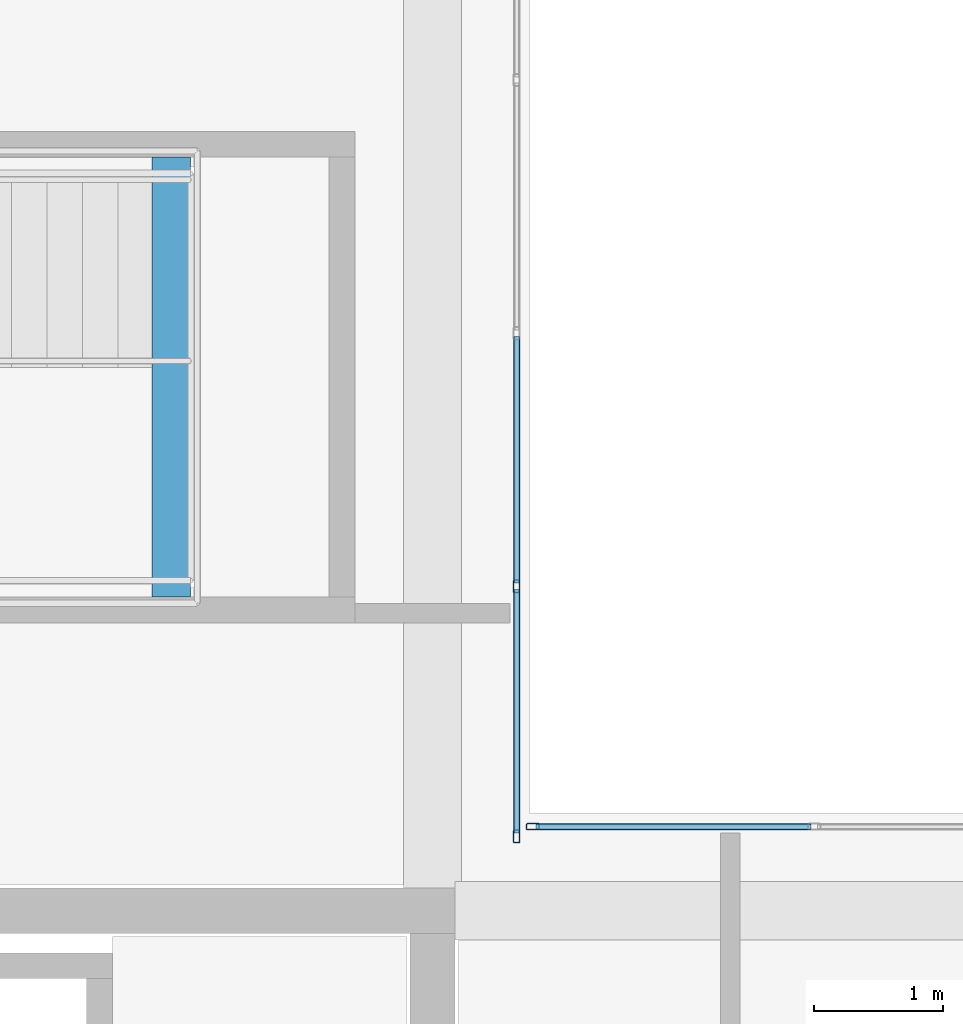
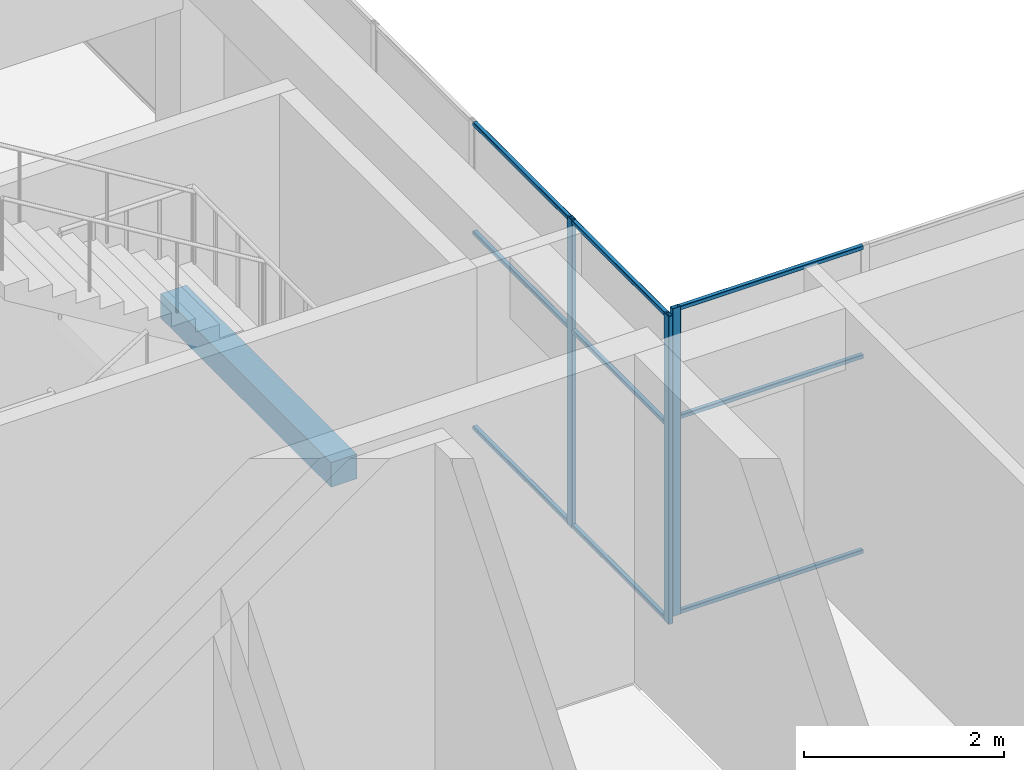
# One storey, part 13 of 34: 12 members, 1 beam, 2 elements without a shape of their own.
"""IFC4 building model written with IfcOpenShell, lengths in metres."""

from ifc_helpers import new_model, si_unit, direction, frame, origin, origin_2d, place, context, subcontext, project, spatial, rectangle, hollow_rectangle, extrude, material, layer, layer_set, material_profile, profile_set, type_object, element, aggregate, save


model = new_model("IFC4")

# Units and contexts
model_context = context("Model", 3, precision=1e-05, world=origin(), true_north=direction((0.0, 1.0)))
body_context = subcontext(model_context, "Body", "Model", "MODEL_VIEW")
ifc_project = project(units=[si_unit("LENGTHUNIT", "METRE"), si_unit("AREAUNIT", "SQUARE_METRE"), si_unit("VOLUMEUNIT", "CUBIC_METRE"), si_unit("PLANEANGLEUNIT", "RADIAN"), si_unit("MASSUNIT", "GRAM", prefix="KILO")], contexts=[model_context])

# Site, building, storey
site_placement = place(None, origin())
site = spatial("IfcSite", under=ifc_project, at=site_placement, CompositionType="ELEMENT")
building_placement = place(site_placement, origin())
building = spatial("IfcBuilding", under=site, at=building_placement, Name="Tuart Plaza Theatre", CompositionType="ELEMENT")
storey_placement = place(building_placement, frame((0.0, 0.0, 53.5)))
storey = spatial("IfcBuildingStorey", under=building, at=storey_placement, Name="L13", CompositionType="ELEMENT", Elevation=53.5)

# Beam
ifc_material_1 = material(Name="Concrete N40 (40 MPa)", Category="concrete")
ifc_material_profile_1 = material_profile(ifc_material_1, rectangle(XDim=0.300048828125, YDim=0.300048828125, at=origin_2d()), Name="BEAM 300x300 Concrete N40 (40 MPa)")
ifc_profile_set_1 = profile_set([ifc_material_profile_1], Name="Concrete N40 (40 MPa)")
beam_type = type_object("IfcBeamType", Name="BEAM 300x300 Concrete N40 (40 MPa)", PredefinedType="BEAM", material=ifc_profile_set_1)
beam_placement = place(storey_placement, frame((138.97998046875, 85.425048828125, 1.64990234375), z_axis=(0.0, 1.0, 0.0), x_axis=(-1.0, 0.0, 0.0)))
element("IfcBeam", 1, at=beam_placement, inside=storey, type_object=beam_type, Name="RB525", PredefinedType="BEAM", context=body_context, shape_type="SweptSolid", body=[
    extrude(rectangle(XDim=0.300048828125, YDim=0.300048828125, at=origin_2d()), origin(), (0.0, 0.0, 1.0), 3.39990234375),
])

# Curtain wall, member
ifc_material_2 = material(Name="Aluminium and glass", Category="aluminium")
ifc_layer = layer(ifc_material_2, 0.10009765625)
ifc_layer_set = layer_set([ifc_layer], Name="CURTAIN WALL 2000 module")
curtain_wall_type = type_object("IfcCurtainWallType", Name="CURTAIN WALL 2000 module", PredefinedType="NOTDEFINED", material=ifc_layer_set)
curtain_wall_1_placement = place(storey_placement, origin())
curtain_wall_1 = element("IfcCurtainWall", 2, at=curtain_wall_1_placement, inside=storey, type_object=curtain_wall_type, Name="CW115", PredefinedType="NOTDEFINED")
ifc_material_3 = material(Name="Aluminium 6063-T5", Category="aluminium")
ifc_material_profile_2 = material_profile(ifc_material_3, hollow_rectangle(XDim=0.050048828125, YDim=0.10009765625, WallThickness=0.00390625, InnerFilletRadius=0.00390625, OuterFilletRadius=0.008056640625, at=origin_2d()), Name="RHS 100x50x4")
ifc_profile_set_2 = profile_set([ifc_material_profile_2], Name="Aluminium 6063-T5")
member_type_1 = type_object("IfcMemberType", Name="MULLION RHS 100x50x4", PredefinedType="MULLION", material=ifc_profile_set_2)
member_1_placement = place(storey_placement, frame((141.77490234375, 83.64990234375, 0.0), z_axis=(0.0, 0.0, 1.0), x_axis=(0.0, -1.0, 0.0)))
member_1 = element("IfcMember", 3, at=member_1_placement, type_object=member_type_1, Name="CW115 mullion 5", PredefinedType="MULLION", context=body_context, shape_type="SweptSolid", body=[
    extrude(hollow_rectangle(XDim=0.050048828125, YDim=0.10009765625, WallThickness=0.00390625, InnerFilletRadius=0.00390625, OuterFilletRadius=0.008056640625, at=origin_2d()), origin(), (0.0, 0.0, 1.0), 3.75),
])

# Curtain wall, members
curtain_wall_2_placement = place(storey_placement, origin())
curtain_wall_2 = element("IfcCurtainWall", 4, at=curtain_wall_2_placement, inside=storey, type_object=curtain_wall_type, Name="CW116", PredefinedType="NOTDEFINED")
member_2_placement = place(storey_placement, frame((141.64990234375, 83.574951171875, 0.0), z_axis=(0.0, 0.0, 1.0), x_axis=(-1.0, 0.0, 0.0)))
member_2 = element("IfcMember", 5, at=member_2_placement, type_object=member_type_1, Name="CW116 mullion 1", PredefinedType="MULLION", context=body_context, shape_type="SweptSolid", body=[
    extrude(hollow_rectangle(XDim=0.050048828125, YDim=0.10009765625, WallThickness=0.00390625, InnerFilletRadius=0.00390625, OuterFilletRadius=0.008056640625, at=origin_2d()), origin(), (0.0, 0.0, 1.0), 3.75),
])
member_3_placement = place(storey_placement, frame((141.64990234375, 85.507080078125, 0.0), z_axis=(0.0, 0.0, 1.0), x_axis=(-1.0, 0.0, 0.0)))
member_3 = element("IfcMember", 6, at=member_3_placement, type_object=member_type_1, Name="CW116 mullion 2", PredefinedType="MULLION", context=body_context, shape_type="SweptSolid", body=[
    extrude(hollow_rectangle(XDim=0.050048828125, YDim=0.10009765625, WallThickness=0.00390625, InnerFilletRadius=0.00390625, OuterFilletRadius=0.008056640625, at=origin_2d()), origin(), (0.0, 0.0, 1.0), 3.75),
])

# Member
ifc_material_4 = material(Name="Aluminium 6063-T5", Category="aluminium")
ifc_material_profile_3 = material_profile(ifc_material_4, hollow_rectangle(XDim=0.050048828125, YDim=0.050048828125, WallThickness=0.00390625, InnerFilletRadius=0.00390625, OuterFilletRadius=0.008056640625, at=origin_2d()), Name="RHS 50x50x4")
ifc_profile_set_3 = profile_set([ifc_material_profile_3], Name="Aluminium 6063-T5")
member_type_2 = type_object("IfcMemberType", Name="TRANSOM RHS 50x50x4", PredefinedType="USERDEFINED", material=ifc_profile_set_3)
member_4_placement = place(storey_placement, frame((143.925048828125, 83.64990234375, 0.02490234375), z_axis=(-1.0, 0.0, 0.0), x_axis=(0.0, -1.0, 0.0)))
member_4 = element("IfcMember", 7, at=member_4_placement, type_object=member_type_2, Name="CW115 transom 4.1", ObjectType="TRANSOM", PredefinedType="USERDEFINED", context=body_context, shape_type="SweptSolid", body=[
    extrude(hollow_rectangle(XDim=0.050048828125, YDim=0.050048828125, WallThickness=0.00390625, InnerFilletRadius=0.00390625, OuterFilletRadius=0.008056640625, at=origin_2d()), origin(), (0.0, 0.0, 1.0), 2.125),
])

member_5_placement = place(storey_placement, frame((143.925048828125, 83.64990234375, 2.39990234375), z_axis=(-1.0, 0.0, 0.0), x_axis=(0.0, -1.0, 0.0)))
member_5 = element("IfcMember", 8, at=member_5_placement, type_object=member_type_2, Name="CW115 transom 4.2", ObjectType="TRANSOM", PredefinedType="USERDEFINED", context=body_context, shape_type="SweptSolid", body=[
    extrude(hollow_rectangle(XDim=0.050048828125, YDim=0.050048828125, WallThickness=0.00390625, InnerFilletRadius=0.00390625, OuterFilletRadius=0.008056640625, at=origin_2d()), origin(), (0.0, 0.0, 1.0), 2.125),
])

member_6_placement = place(storey_placement, frame((143.925048828125, 83.64990234375, 3.72509765625), z_axis=(-1.0, 0.0, 0.0), x_axis=(0.0, -1.0, 0.0)))
member_6 = element("IfcMember", 9, at=member_6_placement, type_object=member_type_2, Name="CW115 transom 4.3", ObjectType="TRANSOM", PredefinedType="USERDEFINED", context=body_context, shape_type="SweptSolid", body=[
    extrude(hollow_rectangle(XDim=0.050048828125, YDim=0.050048828125, WallThickness=0.00390625, InnerFilletRadius=0.00390625, OuterFilletRadius=0.008056640625, at=origin_2d()), origin(), (0.0, 0.0, 1.0), 2.125),
])

aggregate(curtain_wall_1, [member_1, member_4, member_5, member_6])

member_7_placement = place(storey_placement, frame((141.64990234375, 83.60009765625, 0.02490234375), z_axis=(0.0, 1.0, 0.0), x_axis=(-1.0, 0.0, 0.0)))
member_7 = element("IfcMember", 10, at=member_7_placement, type_object=member_type_2, Name="CW116 transom 1.1", ObjectType="TRANSOM", PredefinedType="USERDEFINED", context=body_context, shape_type="SweptSolid", body=[
    extrude(hollow_rectangle(XDim=0.050048828125, YDim=0.050048828125, WallThickness=0.00390625, InnerFilletRadius=0.00390625, OuterFilletRadius=0.008056640625, at=origin_2d()), origin(), (0.0, 0.0, 1.0), 1.882080078125),
])

member_8_placement = place(storey_placement, frame((141.64990234375, 83.60009765625, 2.39990234375), z_axis=(0.0, 1.0, 0.0), x_axis=(-1.0, 0.0, 0.0)))
member_8 = element("IfcMember", 11, at=member_8_placement, type_object=member_type_2, Name="CW116 transom 1.2", ObjectType="TRANSOM", PredefinedType="USERDEFINED", context=body_context, shape_type="SweptSolid", body=[
    extrude(hollow_rectangle(XDim=0.050048828125, YDim=0.050048828125, WallThickness=0.00390625, InnerFilletRadius=0.00390625, OuterFilletRadius=0.008056640625, at=origin_2d()), origin(), (0.0, 0.0, 1.0), 1.882080078125),
])

member_9_placement = place(storey_placement, frame((141.64990234375, 83.60009765625, 3.72509765625), z_axis=(0.0, 1.0, 0.0), x_axis=(-1.0, 0.0, 0.0)))
member_9 = element("IfcMember", 12, at=member_9_placement, type_object=member_type_2, Name="CW116 transom 1.3", ObjectType="TRANSOM", PredefinedType="USERDEFINED", context=body_context, shape_type="SweptSolid", body=[
    extrude(hollow_rectangle(XDim=0.050048828125, YDim=0.050048828125, WallThickness=0.00390625, InnerFilletRadius=0.00390625, OuterFilletRadius=0.008056640625, at=origin_2d()), origin(), (0.0, 0.0, 1.0), 1.882080078125),
])

member_10_placement = place(storey_placement, frame((141.64990234375, 85.5322265625, 0.02490234375), z_axis=(0.0, 1.0, 0.0), x_axis=(-1.0, 0.0, 0.0)))
member_10 = element("IfcMember", 13, at=member_10_placement, type_object=member_type_2, Name="CW116 transom 2.1", ObjectType="TRANSOM", PredefinedType="USERDEFINED", context=body_context, shape_type="SweptSolid", body=[
    extrude(hollow_rectangle(XDim=0.050048828125, YDim=0.050048828125, WallThickness=0.00390625, InnerFilletRadius=0.00390625, OuterFilletRadius=0.008056640625, at=origin_2d()), origin(), (0.0, 0.0, 1.0), 1.906982421875),
])

member_11_placement = place(storey_placement, frame((141.64990234375, 85.5322265625, 2.39990234375), z_axis=(0.0, 1.0, 0.0), x_axis=(-1.0, 0.0, 0.0)))
member_11 = element("IfcMember", 14, at=member_11_placement, type_object=member_type_2, Name="CW116 transom 2.2", ObjectType="TRANSOM", PredefinedType="USERDEFINED", context=body_context, shape_type="SweptSolid", body=[
    extrude(hollow_rectangle(XDim=0.050048828125, YDim=0.050048828125, WallThickness=0.00390625, InnerFilletRadius=0.00390625, OuterFilletRadius=0.008056640625, at=origin_2d()), origin(), (0.0, 0.0, 1.0), 1.906982421875),
])

member_12_placement = place(storey_placement, frame((141.64990234375, 85.5322265625, 3.72509765625), z_axis=(0.0, 1.0, 0.0), x_axis=(-1.0, 0.0, 0.0)))
member_12 = element("IfcMember", 15, at=member_12_placement, type_object=member_type_2, Name="CW116 transom 2.3", ObjectType="TRANSOM", PredefinedType="USERDEFINED", context=body_context, shape_type="SweptSolid", body=[
    extrude(hollow_rectangle(XDim=0.050048828125, YDim=0.050048828125, WallThickness=0.00390625, InnerFilletRadius=0.00390625, OuterFilletRadius=0.008056640625, at=origin_2d()), origin(), (0.0, 0.0, 1.0), 1.906982421875),
])

aggregate(curtain_wall_2, [member_2, member_3, member_7, member_8, member_9, member_10, member_11, member_12])

save(model, "model.ifc")
